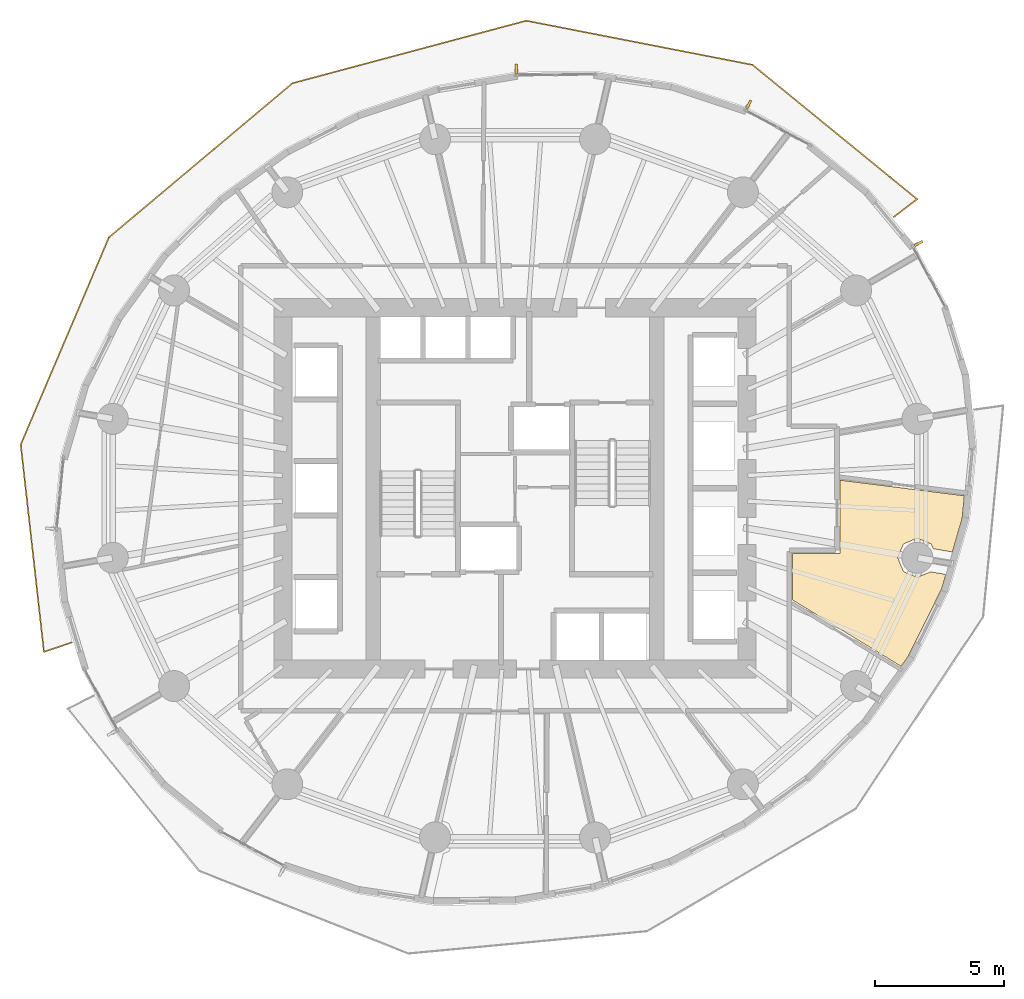
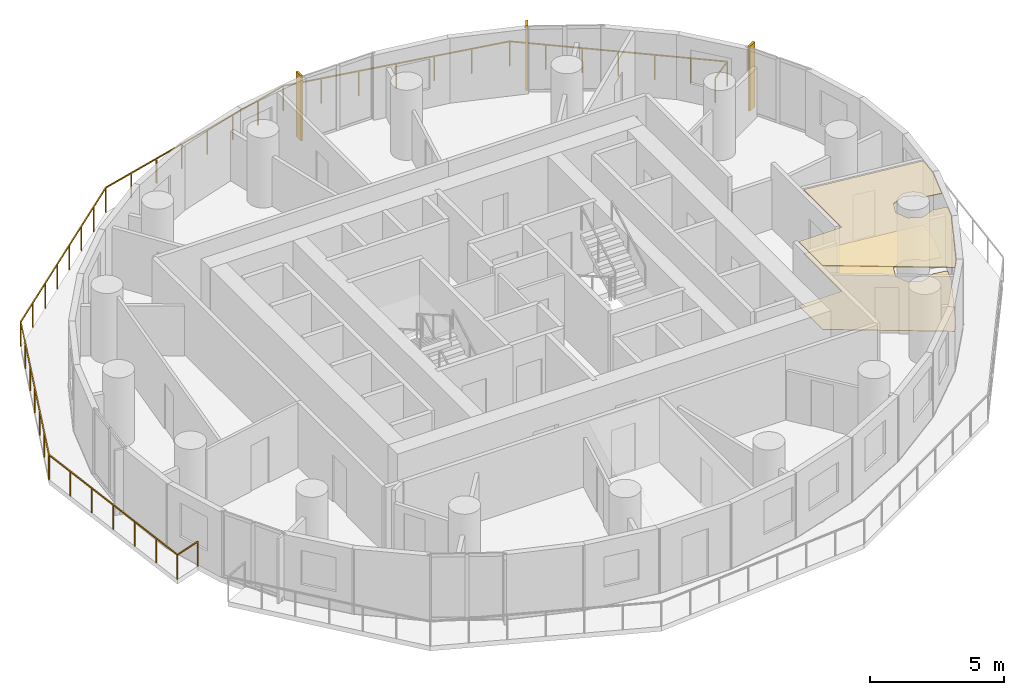
# One storey, part 14 of 14: 3 shading devices, 2 coverings, 1 railing.
"""IFC4 building model written with IfcOpenShell, lengths in metres."""

from ifc_helpers import new_model, si_unit, direction, frame, origin, origin_2d, place, context, subcontext, project, spatial, polyline, rectangle, outline, extrude, material, layer, layer_set, type_object, element, save


model = new_model("IFC4")

# Units and contexts
model_context = context("Model", 3, precision=1e-05, world=origin(), true_north=direction((0.0, 1.0)))
body_context = subcontext(model_context, "Body", "Model", "MODEL_VIEW")
ifc_project = project(units=[si_unit("LENGTHUNIT", "METRE"), si_unit("AREAUNIT", "SQUARE_METRE"), si_unit("VOLUMEUNIT", "CUBIC_METRE"), si_unit("PLANEANGLEUNIT", "RADIAN"), si_unit("MASSUNIT", "GRAM", prefix="KILO")], contexts=[model_context])

# Site, building, storey
site_placement = place(None, origin())
site = spatial("IfcSite", under=ifc_project, at=site_placement, CompositionType="ELEMENT")
building_placement = place(site_placement, origin())
building = spatial("IfcBuilding", under=site, at=building_placement, Name="Veldorim Arch Residences", CompositionType="ELEMENT")
storey_placement = place(building_placement, frame((0.0, 0.0, 93.280029296875)))
storey = spatial("IfcBuildingStorey", under=building, at=storey_placement, Name="L27", CompositionType="ELEMENT", Elevation=93.280029296875)

# Railing
ifc_material_1 = material(Name="Aluminium", Category="aluminium")
railing_type = type_object("IfcRailingType", Name="Balcony & Terrace Laminated Glass Balustrade 1150", PredefinedType="BALUSTRADE", material=ifc_material_1)
railing_placement = place(storey_placement, frame((46.677978515625, 34.51025390625, 0.0)))
element("IfcRailing", 1, at=railing_placement, inside=storey, type_object=railing_type, Name="L27 crescent balcony safety balustrade A", PredefinedType="BALUSTRADE", context=body_context, shape_type="SweptSolid", body=[
    extrude(rectangle(XDim=0.048095703125, YDim=0.048095703125, at=origin_2d()), frame((0.0, 0.0, 1.1259765625), z_axis=(0.793483347479, 0.608591962873, 0.0), x_axis=(-0.608591962873, 0.793483347479, 0.0)), (0.0, 0.0, 1.0), 1.150146484375),
    extrude(rectangle(XDim=0.048095703125, YDim=0.048095703125, at=origin_2d()), frame((0.91259765625, 0.699951171875, 1.1259765625), z_axis=(-0.774769908428, 0.632243298892, 0.0), x_axis=(-0.632243298892, -0.774769908428, 0.0)), (0.0, 0.0, 1.0), 8.2392578125),
    extrude(rectangle(XDim=0.048095703125, YDim=0.048095703125, at=origin_2d()), frame((-5.470947265625, 5.9091796875, 1.1259765625), z_axis=(-0.981481950654, 0.191554641136, 0.0), x_axis=(-0.191554641136, -0.981481950654, 0.0)), (0.0, 0.0, 1.0), 8.938232421875),
    extrude(rectangle(XDim=0.048095703125, YDim=0.048095703125, at=origin_2d()), frame((-14.24365234375, 7.621337890625, 1.1259765625), z_axis=(-0.966049452854, -0.25835722293, 0.0), x_axis=(0.25835722293, -0.966049452854, 0.0)), (0.0, 0.0, 1.0), 9.384521484375),
    extrude(rectangle(XDim=0.048095703125, YDim=0.048095703125, at=origin_2d()), frame((-23.3095703125, 5.19677734375, 1.1259765625), z_axis=(-0.765795425109, -0.643084261106, 0.0), x_axis=(0.643084261106, -0.765795425109, 0.0)), (0.0, 0.0, 1.0), 9.293212890625),
    extrude(rectangle(XDim=0.048095703125, YDim=0.048095703125, at=origin_2d()), frame((-30.42626953125, -0.779541015625, 1.1259765625), z_axis=(-0.391741994665, -0.920075110856, 0.0), x_axis=(0.920075110856, -0.391741994665, 0.0)), (0.0, 0.0, 1.0), 8.733154296875),
    extrude(rectangle(XDim=0.048095703125, YDim=0.048095703125, at=origin_2d()), frame((-33.847412109375, -8.814697265625, 1.1259765625), z_axis=(0.111365341627, -0.993779533239, 0.0), x_axis=(0.993779533239, 0.111365341627, 0.0)), (0.0, 0.0, 1.0), 8.091552734375),
    extrude(rectangle(XDim=0.048095703125, YDim=0.048095703125, at=origin_2d()), frame((-32.9462890625, -16.85595703125, 1.1259765625), z_axis=(0.947444831891, 0.31991919374, 0.0), x_axis=(-0.31991919374, 0.947444831891, 0.0)), (0.0, 0.0, 1.0), 1.150146484375),
    extrude(rectangle(XDim=0.0419921875, YDim=0.0419921875, at=origin_2d()), origin(), (0.0, 0.0, 1.0), 1.101806640625),
    extrude(rectangle(XDim=0.0419921875, YDim=0.0419921875, at=origin_2d()), frame((0.91259765625, 0.699951171875, 0.0)), (0.0, 0.0, 1.0), 1.101806640625),
    extrude(rectangle(XDim=0.0419921875, YDim=0.0419921875, at=origin_2d()), frame((-0.1513671875, 1.568115234375, 0.0)), (0.0, 0.0, 1.0), 1.101806640625),
    extrude(rectangle(XDim=0.0419921875, YDim=0.0419921875, at=origin_2d()), frame((-1.21533203125, 2.436279296875, 0.0)), (0.0, 0.0, 1.0), 1.101806640625),
    extrude(rectangle(XDim=0.0419921875, YDim=0.0419921875, at=origin_2d()), frame((-2.279296875, 3.3046875, 0.0)), (0.0, 0.0, 1.0), 1.101806640625),
    extrude(rectangle(XDim=0.0419921875, YDim=0.0419921875, at=origin_2d()), frame((-3.343017578125, 4.1728515625, 0.0)), (0.0, 0.0, 1.0), 1.101806640625),
    extrude(rectangle(XDim=0.0419921875, YDim=0.0419921875, at=origin_2d()), frame((-4.406982421875, 5.041015625, 0.0)), (0.0, 0.0, 1.0), 1.101806640625),
    extrude(rectangle(XDim=0.0419921875, YDim=0.0419921875, at=origin_2d()), frame((-5.470947265625, 5.9091796875, 0.0)), (0.0, 0.0, 1.0), 1.101806640625),
    extrude(rectangle(XDim=0.0419921875, YDim=0.0419921875, at=origin_2d()), frame((-6.93310546875, 6.194580078125, 0.0)), (0.0, 0.0, 1.0), 1.101806640625),
    extrude(rectangle(XDim=0.0419921875, YDim=0.0419921875, at=origin_2d()), frame((-8.395263671875, 6.47998046875, 0.0)), (0.0, 0.0, 1.0), 1.101806640625),
    extrude(rectangle(XDim=0.0419921875, YDim=0.0419921875, at=origin_2d()), frame((-9.857421875, 6.76513671875, 0.0)), (0.0, 0.0, 1.0), 1.101806640625),
    extrude(rectangle(XDim=0.0419921875, YDim=0.0419921875, at=origin_2d()), frame((-11.3193359375, 7.050537109375, 0.0)), (0.0, 0.0, 1.0), 1.101806640625),
    extrude(rectangle(XDim=0.0419921875, YDim=0.0419921875, at=origin_2d()), frame((-12.781494140625, 7.3359375, 0.0)), (0.0, 0.0, 1.0), 1.101806640625),
    extrude(rectangle(XDim=0.0419921875, YDim=0.0419921875, at=origin_2d()), frame((-14.24365234375, 7.621337890625, 0.0)), (0.0, 0.0, 1.0), 1.101806640625),
    extrude(rectangle(XDim=0.0419921875, YDim=0.0419921875, at=origin_2d()), frame((-15.538818359375, 7.27490234375, 0.0)), (0.0, 0.0, 1.0), 1.101806640625),
    extrude(rectangle(XDim=0.0419921875, YDim=0.0419921875, at=origin_2d()), frame((-16.833984375, 6.9287109375, 0.0)), (0.0, 0.0, 1.0), 1.101806640625),
    extrude(rectangle(XDim=0.0419921875, YDim=0.0419921875, at=origin_2d()), frame((-18.129150390625, 6.582275390625, 0.0)), (0.0, 0.0, 1.0), 1.101806640625),
    extrude(rectangle(XDim=0.0419921875, YDim=0.0419921875, at=origin_2d()), frame((-19.424072265625, 6.23583984375, 0.0)), (0.0, 0.0, 1.0), 1.101806640625),
    extrude(rectangle(XDim=0.0419921875, YDim=0.0419921875, at=origin_2d()), frame((-20.71923828125, 5.889404296875, 0.0)), (0.0, 0.0, 1.0), 1.101806640625),
    extrude(rectangle(XDim=0.0419921875, YDim=0.0419921875, at=origin_2d()), frame((-22.014404296875, 5.543212890625, 0.0)), (0.0, 0.0, 1.0), 1.101806640625),
    extrude(rectangle(XDim=0.0419921875, YDim=0.0419921875, at=origin_2d()), frame((-23.3095703125, 5.19677734375, 0.0)), (0.0, 0.0, 1.0), 1.101806640625),
    extrude(rectangle(XDim=0.0419921875, YDim=0.0419921875, at=origin_2d()), frame((-24.326171875, 4.343017578125, 0.0)), (0.0, 0.0, 1.0), 1.101806640625),
    extrude(rectangle(XDim=0.0419921875, YDim=0.0419921875, at=origin_2d()), frame((-25.343017578125, 3.4892578125, 0.0)), (0.0, 0.0, 1.0), 1.101806640625),
    extrude(rectangle(XDim=0.0419921875, YDim=0.0419921875, at=origin_2d()), frame((-26.359619140625, 2.635498046875, 0.0)), (0.0, 0.0, 1.0), 1.101806640625),
    extrude(rectangle(XDim=0.0419921875, YDim=0.0419921875, at=origin_2d()), frame((-27.376220703125, 1.78173828125, 0.0)), (0.0, 0.0, 1.0), 1.101806640625),
    extrude(rectangle(XDim=0.0419921875, YDim=0.0419921875, at=origin_2d()), frame((-28.392822265625, 0.927978515625, 0.0)), (0.0, 0.0, 1.0), 1.101806640625),
    extrude(rectangle(XDim=0.0419921875, YDim=0.0419921875, at=origin_2d()), frame((-29.40966796875, 0.07421875, 0.0)), (0.0, 0.0, 1.0), 1.101806640625),
    extrude(rectangle(XDim=0.0419921875, YDim=0.0419921875, at=origin_2d()), frame((-30.42626953125, -0.779541015625, 0.0)), (0.0, 0.0, 1.0), 1.101806640625),
    extrude(rectangle(XDim=0.0419921875, YDim=0.0419921875, at=origin_2d()), frame((-30.99658203125, -2.11865234375, 0.0)), (0.0, 0.0, 1.0), 1.101806640625),
    extrude(rectangle(XDim=0.0419921875, YDim=0.0419921875, at=origin_2d()), frame((-31.566650390625, -3.4580078125, 0.0)), (0.0, 0.0, 1.0), 1.101806640625),
    extrude(rectangle(XDim=0.0419921875, YDim=0.0419921875, at=origin_2d()), frame((-32.13671875, -4.797119140625, 0.0)), (0.0, 0.0, 1.0), 1.101806640625),
    extrude(rectangle(XDim=0.0419921875, YDim=0.0419921875, at=origin_2d()), frame((-32.70703125, -6.13623046875, 0.0)), (0.0, 0.0, 1.0), 1.101806640625),
    extrude(rectangle(XDim=0.0419921875, YDim=0.0419921875, at=origin_2d()), frame((-33.27734375, -7.4755859375, 0.0)), (0.0, 0.0, 1.0), 1.101806640625),
    extrude(rectangle(XDim=0.0419921875, YDim=0.0419921875, at=origin_2d()), frame((-33.847412109375, -8.814697265625, 0.0)), (0.0, 0.0, 1.0), 1.101806640625),
    extrude(rectangle(XDim=0.0419921875, YDim=0.0419921875, at=origin_2d()), frame((-33.697265625, -10.15478515625, 0.0)), (0.0, 0.0, 1.0), 1.101806640625),
    extrude(rectangle(XDim=0.0419921875, YDim=0.0419921875, at=origin_2d()), frame((-33.547119140625, -11.4951171875, 0.0)), (0.0, 0.0, 1.0), 1.101806640625),
    extrude(rectangle(XDim=0.0419921875, YDim=0.0419921875, at=origin_2d()), frame((-33.39697265625, -12.83544921875, 0.0)), (0.0, 0.0, 1.0), 1.101806640625),
    extrude(rectangle(XDim=0.0419921875, YDim=0.0419921875, at=origin_2d()), frame((-33.24658203125, -14.175537109375, 0.0)), (0.0, 0.0, 1.0), 1.101806640625),
    extrude(rectangle(XDim=0.0419921875, YDim=0.0419921875, at=origin_2d()), frame((-33.096435546875, -15.515625, 0.0)), (0.0, 0.0, 1.0), 1.101806640625),
    extrude(rectangle(XDim=0.0419921875, YDim=0.0419921875, at=origin_2d()), frame((-32.9462890625, -16.85595703125, 0.0)), (0.0, 0.0, 1.0), 1.101806640625),
    extrude(rectangle(XDim=0.0419921875, YDim=0.0419921875, at=origin_2d()), frame((-31.856689453125, -16.488037109375, 0.0)), (0.0, 0.0, 1.0), 1.101806640625),
])

# Coverings
ifc_material_2 = material(Name="Acoustic Gypsum & Mineral Fibre", Category="gypsum")
ifc_layer_1 = layer(ifc_material_2, 0.034912109375, Name="Perforated Acoustic Mineral-Fibre Ceiling 35")
ifc_layer_set_1 = layer_set([ifc_layer_1], Name="Acoustic Gypsum & Mineral Fibre")
covering_type_1 = type_object("IfcCoveringType", Name="Perforated Acoustic Mineral-Fibre Ceiling 35", PredefinedType="CEILING", material=ifc_layer_set_1)
covering_1_placement = place(storey_placement, frame((0.0, 0.0, 2.905029296875)))
element("IfcCovering", 2, at=covering_1_placement, inside=storey, type_object=covering_type_1, Name="L27 acoustic suspended ceiling 02", PredefinedType="CEILING", context=body_context, shape_type="SweptSolid", body=[
    extrude(outline(polyline([(48.69970703125, 20.660400390625), (48.53662109375, 20.099853515625), (47.23779296875, 17.478515625), (46.962890625, 17.1005859375), (42.75, 19.67578125), (42.75, 21.47998046875), (44.60009765625, 21.47998046875), (44.60009765625, 24.314453125), (49.41748046875, 23.708984375), (49.33251953125, 22.837646484375), (48.952392578125, 21.530029296875), (48.209228515625, 21.658203125), (48.1318359375, 21.84521484375), (47.594482421875, 22.067626953125), (47.05712890625, 21.84521484375), (46.834716796875, 21.307861328125), (47.05712890625, 20.7705078125), (47.594482421875, 20.5478515625), (48.111083984375, 20.761962890625), (48.69970703125, 20.660400390625)])), origin(), (0.0, 0.0, 1.0), 0.034912109375),
])
ifc_material_3 = material(Name="Porcelain Ceramic Tile", Category="ceramic")
ifc_layer_2 = layer(ifc_material_3, 0.02001953125, Name="Slip-Resistant Porcelain & Vinyl Floor Finish 20")
ifc_layer_set_2 = layer_set([ifc_layer_2], Name="Porcelain Ceramic Tile")
covering_type_2 = type_object("IfcCoveringType", Name="Slip-Resistant Porcelain & Vinyl Floor Finish 20", PredefinedType="FLOORING", material=ifc_layer_set_2)
covering_2_placement = place(storey_placement, origin())
element("IfcCovering", 3, at=covering_2_placement, inside=storey, type_object=covering_type_2, Name="L27 porcelain floor finish 02", PredefinedType="FLOORING", context=body_context, shape_type="SweptSolid", body=[
    extrude(outline(polyline([(48.69970703125, 20.660400390625), (48.53662109375, 20.099853515625), (47.23779296875, 17.478515625), (46.962890625, 17.1005859375), (42.75, 19.67578125), (42.75, 21.47998046875), (44.60009765625, 21.47998046875), (44.60009765625, 24.314453125), (49.41748046875, 23.708984375), (49.33251953125, 22.837646484375), (48.952392578125, 21.530029296875), (48.209228515625, 21.658203125), (48.1318359375, 21.84521484375), (47.594482421875, 22.067626953125), (47.05712890625, 21.84521484375), (46.834716796875, 21.307861328125), (47.05712890625, 20.7705078125), (47.594482421875, 20.5478515625), (48.111083984375, 20.761962890625), (48.69970703125, 20.660400390625)])), origin(), (0.0, 0.0, 1.0), 0.02001953125),
])

# Shading devices
ifc_material_4 = material(Name="Terracotta Ceramic", Category="masonry")
ifc_layer_3 = layer(ifc_material_4, 0.090087890625, Name="Vertical Extruded Terracotta Baguette Sun-Shading Fin")
ifc_layer_set_3 = layer_set([ifc_layer_3], Name="Terracotta Ceramic")
shading_device_type = type_object("IfcShadingDeviceType", Name="Vertical Extruded Terracotta Baguette Sun-Shading Fin", PredefinedType="USERDEFINED", material=ifc_layer_set_3)
for number, where, z_axis, x_axis, name in (
    (4, (47.642333984375, 33.49365234375, 0.0), (0.0, 0.0, 1.0), (0.476084726767, -0.879399416044, 0.0), "L27 vertical terracotta sun-shading fin 01"),
    (5, (41.056396484375, 38.87841796875, 0.0), (0.0, 0.0, 1.0), (0.879399416044, -0.476084726767, 0.0), "L27 vertical terracotta sun-shading fin 04"),
    (6, (32.04931640625, 40.26708984375, 0.0), (0.0, 0.0, 1.0), (0.999937615001, 0.011169874929, 0.0), "L27 vertical terracotta sun-shading fin 07"),
):
    element("IfcShadingDevice", number, at=place(storey_placement, frame(where, z_axis=z_axis, x_axis=x_axis)), inside=storey, type_object=shading_device_type, Name=name, ObjectType="FIN", PredefinedType="USERDEFINED", context=body_context, shape_type="SweptSolid", body=[
        extrude(rectangle(XDim=0.090087890625, YDim=0.360107421875, at=origin_2d()), origin(), (0.0, 0.0, 1.0), 2.9599609375),
    ])

save(model, "model.ifc")
